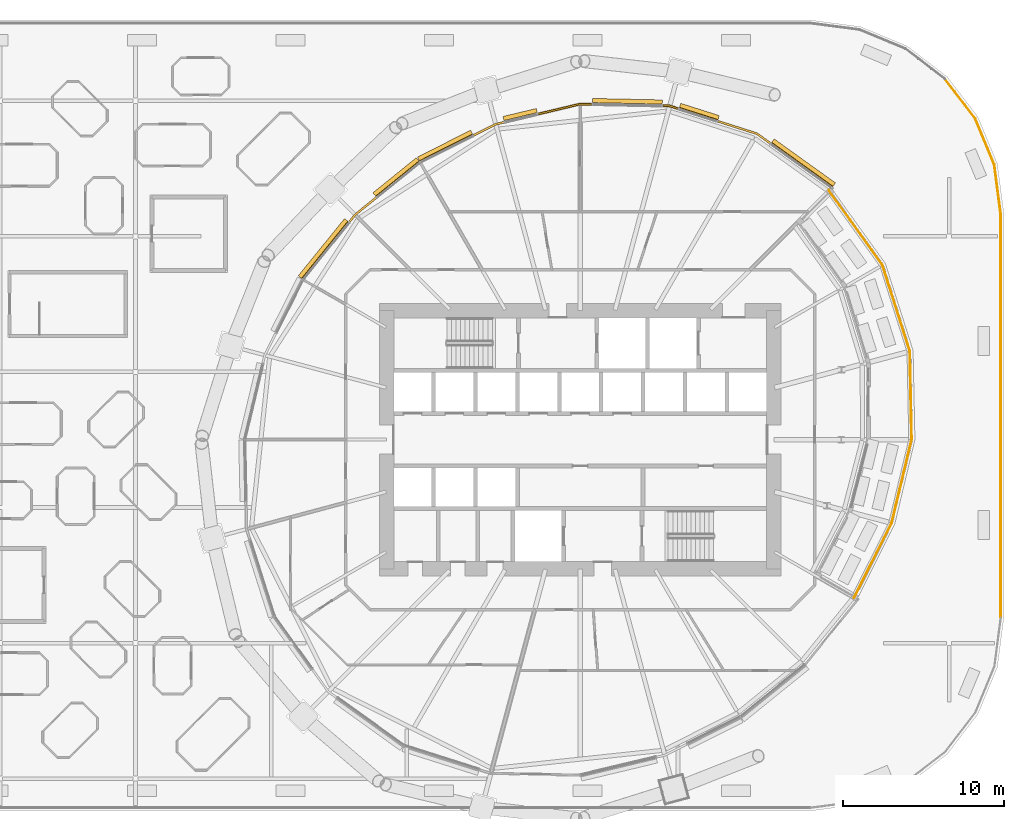
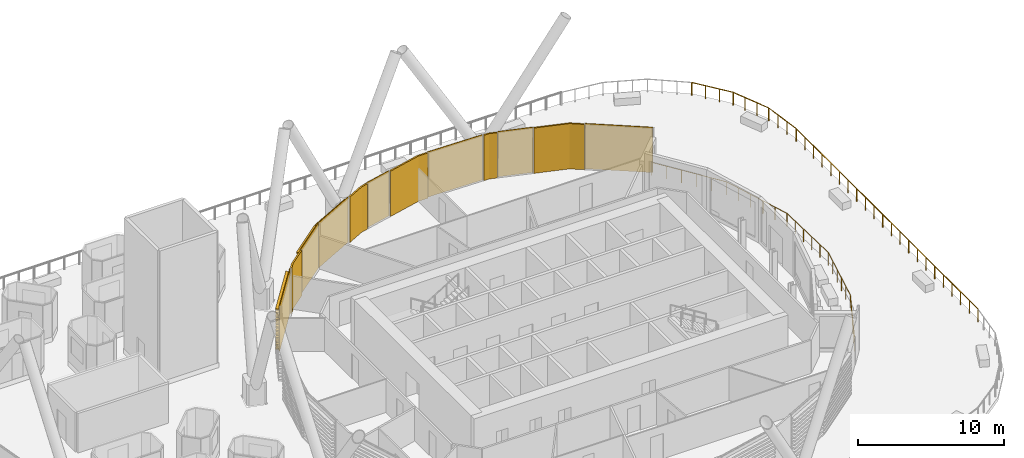
# One storey, part 45 of 47: 12 coverings, 2 railings.
"""IFC4 building model written with IfcOpenShell, lengths in metres."""

from ifc_helpers import new_model, si_unit, direction, frame, origin, origin_2d, place, context, subcontext, project, spatial, polyline, circle, outline, extrude, material, layer, layer_set, material_profile, profile_set, type_object, element, save


model = new_model("IFC4")

# Units and contexts
model_context = context("Model", 3, precision=1e-05, world=origin(), true_north=direction((0.0, 1.0)))
body_context = subcontext(model_context, "Body", "Model", "MODEL_VIEW")
ifc_project = project(units=[si_unit("LENGTHUNIT", "METRE"), si_unit("AREAUNIT", "SQUARE_METRE"), si_unit("VOLUMEUNIT", "CUBIC_METRE"), si_unit("PLANEANGLEUNIT", "RADIAN"), si_unit("MASSUNIT", "GRAM", prefix="KILO")], contexts=[model_context])

# Site, building, storey
site_placement = place(None, origin())
site = spatial("IfcSite", under=ifc_project, at=site_placement, CompositionType="ELEMENT")
building_placement = place(site_placement, origin())
building = spatial("IfcBuilding", under=site, at=building_placement, Name="Rimbun Link Towers", CompositionType="ELEMENT")
storey_placement = place(building_placement, frame((0.0, 0.0, 30.0)))
storey = spatial("IfcBuildingStorey", under=building, at=storey_placement, Name="L06", CompositionType="ELEMENT", Elevation=30.0)

# Railings
ifc_material_1 = material(Name="Toughened laminated glass, stainless steel grade 316 posts and cap rail", Category="steel")
railing_type_1 = type_object("IfcRailingType", Name="GUARD glass balustrade with stainless cap rail", PredefinedType="BALUSTRADE", material=ifc_material_1)
railing_1_placement = place(storey_placement, frame((57.800048828125, -10.98681640625, 0.0)))
element("IfcRailing", 1, at=railing_1_placement, inside=storey, type_object=railing_type_1, Name="GUARD glass balustrade", PredefinedType="BALUSTRADE", context=body_context, shape_type="SweptSolid", body=[
    extrude(circle(Radius=0.02392578125, at=origin_2d()), frame((0.0, 0.0, 1.076171875), z_axis=(0.0, 1.0, 0.0), x_axis=(-1.0, 0.0, 0.0)), (0.0, 0.0, 1.0), 24.9736328125),
    extrude(circle(Radius=0.02392578125, at=origin_2d()), frame((0.0, 24.9736328125, 1.076171875), z_axis=(-0.130540259305, 0.991443009305, 0.0), x_axis=(-0.991443009305, -0.130540259305, 0.0)), (0.0, 0.0, 1.0), 3.09326171875),
    extrude(circle(Radius=0.02392578125, at=origin_2d()), frame((-0.40380859375, 28.04052734375, 1.076171875), z_axis=(-0.382706499462, 0.92386997747, 0.0), x_axis=(-0.92386997747, -0.382706499462, 0.0)), (0.0, 0.0, 1.0), 3.079833984375),
    extrude(circle(Radius=0.02392578125, at=origin_2d()), frame((-1.58251953125, 30.885986328125, 1.076171875), z_axis=(-0.608702762794, 0.793398353015, 0.0), x_axis=(-0.793398353015, -0.608702762794, 0.0)), (0.0, 0.0, 1.0), 3.079833984375),
    extrude(circle(Radius=0.02099609375, at=origin_2d()), origin(), (0.0, 0.0, 1.0), 1.052001953125),
    extrude(circle(Radius=0.02099609375, at=origin_2d()), frame((0.0, 1.189208984375, 0.0)), (0.0, 0.0, 1.0), 1.052001953125),
    extrude(circle(Radius=0.02099609375, at=origin_2d()), frame((0.0, 2.37841796875, 0.0)), (0.0, 0.0, 1.0), 1.052001953125),
    extrude(circle(Radius=0.02099609375, at=origin_2d()), frame((0.0, 3.567626953125, 0.0)), (0.0, 0.0, 1.0), 1.052001953125),
    extrude(circle(Radius=0.02099609375, at=origin_2d()), frame((0.0, 4.7568359375, 0.0)), (0.0, 0.0, 1.0), 1.052001953125),
    extrude(circle(Radius=0.02099609375, at=origin_2d()), frame((0.0, 5.946044921875, 0.0)), (0.0, 0.0, 1.0), 1.052001953125),
    extrude(circle(Radius=0.02099609375, at=origin_2d()), frame((0.0, 7.13525390625, 0.0)), (0.0, 0.0, 1.0), 1.052001953125),
    extrude(circle(Radius=0.02099609375, at=origin_2d()), frame((0.0, 8.324462890625, 0.0)), (0.0, 0.0, 1.0), 1.052001953125),
    extrude(circle(Radius=0.02099609375, at=origin_2d()), frame((0.0, 9.513671875, 0.0)), (0.0, 0.0, 1.0), 1.052001953125),
    extrude(circle(Radius=0.02099609375, at=origin_2d()), frame((0.0, 10.702880859375, 0.0)), (0.0, 0.0, 1.0), 1.052001953125),
    extrude(circle(Radius=0.02099609375, at=origin_2d()), frame((0.0, 11.89208984375, 0.0)), (0.0, 0.0, 1.0), 1.052001953125),
    extrude(circle(Radius=0.02099609375, at=origin_2d()), frame((0.0, 13.08154296875, 0.0)), (0.0, 0.0, 1.0), 1.052001953125),
    extrude(circle(Radius=0.02099609375, at=origin_2d()), frame((0.0, 14.270751953125, 0.0)), (0.0, 0.0, 1.0), 1.052001953125),
    extrude(circle(Radius=0.02099609375, at=origin_2d()), frame((0.0, 15.4599609375, 0.0)), (0.0, 0.0, 1.0), 1.052001953125),
    extrude(circle(Radius=0.02099609375, at=origin_2d()), frame((0.0, 16.649169921875, 0.0)), (0.0, 0.0, 1.0), 1.052001953125),
    extrude(circle(Radius=0.02099609375, at=origin_2d()), frame((0.0, 17.83837890625, 0.0)), (0.0, 0.0, 1.0), 1.052001953125),
    extrude(circle(Radius=0.02099609375, at=origin_2d()), frame((0.0, 19.027587890625, 0.0)), (0.0, 0.0, 1.0), 1.052001953125),
    extrude(circle(Radius=0.02099609375, at=origin_2d()), frame((0.0, 20.216796875, 0.0)), (0.0, 0.0, 1.0), 1.052001953125),
    extrude(circle(Radius=0.02099609375, at=origin_2d()), frame((0.0, 21.406005859375, 0.0)), (0.0, 0.0, 1.0), 1.052001953125),
    extrude(circle(Radius=0.02099609375, at=origin_2d()), frame((0.0, 22.59521484375, 0.0)), (0.0, 0.0, 1.0), 1.052001953125),
    extrude(circle(Radius=0.02099609375, at=origin_2d()), frame((0.0, 23.784423828125, 0.0)), (0.0, 0.0, 1.0), 1.052001953125),
    extrude(circle(Radius=0.02099609375, at=origin_2d()), frame((0.0, 24.9736328125, 0.0)), (0.0, 0.0, 1.0), 1.052001953125),
    extrude(circle(Radius=0.02099609375, at=origin_2d()), frame((-0.134521484375, 25.995849609375, 0.0)), (0.0, 0.0, 1.0), 1.052001953125),
    extrude(circle(Radius=0.02099609375, at=origin_2d()), frame((-0.269287109375, 27.018310546875, 0.0)), (0.0, 0.0, 1.0), 1.052001953125),
    extrude(circle(Radius=0.02099609375, at=origin_2d()), frame((-0.40380859375, 28.04052734375, 0.0)), (0.0, 0.0, 1.0), 1.052001953125),
    extrude(circle(Radius=0.02099609375, at=origin_2d()), frame((-0.796630859375, 28.989013671875, 0.0)), (0.0, 0.0, 1.0), 1.052001953125),
    extrude(circle(Radius=0.02099609375, at=origin_2d()), frame((-1.189697265625, 29.9375, 0.0)), (0.0, 0.0, 1.0), 1.052001953125),
    extrude(circle(Radius=0.02099609375, at=origin_2d()), frame((-1.58251953125, 30.885986328125, 0.0)), (0.0, 0.0, 1.0), 1.052001953125),
    extrude(circle(Radius=0.02099609375, at=origin_2d()), frame((-2.20751953125, 31.700439453125, 0.0)), (0.0, 0.0, 1.0), 1.052001953125),
    extrude(circle(Radius=0.02099609375, at=origin_2d()), frame((-2.832275390625, 32.51513671875, 0.0)), (0.0, 0.0, 1.0), 1.052001953125),
    extrude(circle(Radius=0.02099609375, at=origin_2d()), frame((-3.457275390625, 33.32958984375, 0.0)), (0.0, 0.0, 1.0), 1.052001953125),
])
ifc_material_2 = material(Name="Stainless steel grade 316", Category="steel")
railing_type_2 = type_object("IfcRailingType", Name="GUARD stainless rail and posts", PredefinedType="GUARDRAIL", material=ifc_material_2)
railing_2_placement = place(storey_placement, frame((48.708984375, -9.8046875, 0.0)))
element("IfcRailing", 2, at=railing_2_placement, inside=storey, type_object=railing_type_2, Name="GUARD", PredefinedType="GUARDRAIL", context=body_context, shape_type="SweptSolid", body=[
    extrude(circle(Radius=0.02392578125, at=origin_2d()), frame((0.0, 0.0, 1.076171875), z_axis=(0.448788420539, 0.893638043948, 0.0), x_axis=(-0.893638043948, 0.448788420539, 0.0)), (0.0, 0.0, 1.0), 5.20654296875),
    extrude(circle(Radius=0.02392578125, at=origin_2d()), frame((2.336669921875, 4.65283203125, 1.076171875), z_axis=(0.232609077623, 0.972570314686, 0.0), x_axis=(-0.972570314686, 0.232609077623, 0.0)), (0.0, 0.0, 1.0), 5.3193359375),
    extrude(circle(Radius=0.02392578125, at=origin_2d()), frame((3.573974609375, 9.826171875, 1.076171875), z_axis=(-0.021062992638, 0.999778150562, 0.0), x_axis=(-0.999778150562, -0.021062992638, 0.0)), (0.0, 0.0, 1.0), 5.470947265625),
    extrude(circle(Radius=0.02392578125, at=origin_2d()), frame((3.458740234375, 15.2958984375, 1.076171875), z_axis=(-0.303066763076, 0.952969326431, 0.0), x_axis=(-0.952969326431, -0.303066763076, 0.0)), (0.0, 0.0, 1.0), 5.5947265625),
    extrude(circle(Radius=0.02392578125, at=origin_2d()), frame((1.76318359375, 20.62744140625, 1.076171875), z_axis=(-0.582989109377, 0.812479967967, 0.0), x_axis=(-0.812479967967, -0.582989109377, 0.0)), (0.0, 0.0, 1.0), 5.693603515625),
    extrude(circle(Radius=0.02099609375, at=origin_2d()), origin(), (0.0, 0.0, 1.0), 1.052001953125),
    extrude(circle(Radius=0.02099609375, at=origin_2d()), frame((0.46728515625, 0.9306640625, 0.0)), (0.0, 0.0, 1.0), 1.052001953125),
    extrude(circle(Radius=0.02099609375, at=origin_2d()), frame((0.9345703125, 1.861083984375, 0.0)), (0.0, 0.0, 1.0), 1.052001953125),
    extrude(circle(Radius=0.02099609375, at=origin_2d()), frame((1.402099609375, 2.791748046875, 0.0)), (0.0, 0.0, 1.0), 1.052001953125),
    extrude(circle(Radius=0.02099609375, at=origin_2d()), frame((1.869384765625, 3.72216796875, 0.0)), (0.0, 0.0, 1.0), 1.052001953125),
    extrude(circle(Radius=0.02099609375, at=origin_2d()), frame((2.336669921875, 4.65283203125, 0.0)), (0.0, 0.0, 1.0), 1.052001953125),
    extrude(circle(Radius=0.02099609375, at=origin_2d()), frame((2.584228515625, 5.6875, 0.0)), (0.0, 0.0, 1.0), 1.052001953125),
    extrude(circle(Radius=0.02099609375, at=origin_2d()), frame((2.83154296875, 6.72216796875, 0.0)), (0.0, 0.0, 1.0), 1.052001953125),
    extrude(circle(Radius=0.02099609375, at=origin_2d()), frame((3.0791015625, 7.7568359375, 0.0)), (0.0, 0.0, 1.0), 1.052001953125),
    extrude(circle(Radius=0.02099609375, at=origin_2d()), frame((3.326416015625, 8.79150390625, 0.0)), (0.0, 0.0, 1.0), 1.052001953125),
    extrude(circle(Radius=0.02099609375, at=origin_2d()), frame((3.573974609375, 9.826171875, 0.0)), (0.0, 0.0, 1.0), 1.052001953125),
    extrude(circle(Radius=0.02099609375, at=origin_2d()), frame((3.551025390625, 10.920166015625, 0.0)), (0.0, 0.0, 1.0), 1.052001953125),
    extrude(circle(Radius=0.02099609375, at=origin_2d()), frame((3.52783203125, 12.01416015625, 0.0)), (0.0, 0.0, 1.0), 1.052001953125),
    extrude(circle(Radius=0.02099609375, at=origin_2d()), frame((3.5048828125, 13.10791015625, 0.0)), (0.0, 0.0, 1.0), 1.052001953125),
    extrude(circle(Radius=0.02099609375, at=origin_2d()), frame((3.481689453125, 14.201904296875, 0.0)), (0.0, 0.0, 1.0), 1.052001953125),
    extrude(circle(Radius=0.02099609375, at=origin_2d()), frame((3.458740234375, 15.2958984375, 0.0)), (0.0, 0.0, 1.0), 1.052001953125),
    extrude(circle(Radius=0.02099609375, at=origin_2d()), frame((3.11962890625, 16.3623046875, 0.0)), (0.0, 0.0, 1.0), 1.052001953125),
    extrude(circle(Radius=0.02099609375, at=origin_2d()), frame((2.780517578125, 17.428466796875, 0.0)), (0.0, 0.0, 1.0), 1.052001953125),
    extrude(circle(Radius=0.02099609375, at=origin_2d()), frame((2.44140625, 18.494873046875, 0.0)), (0.0, 0.0, 1.0), 1.052001953125),
    extrude(circle(Radius=0.02099609375, at=origin_2d()), frame((2.102294921875, 19.56103515625, 0.0)), (0.0, 0.0, 1.0), 1.052001953125),
    extrude(circle(Radius=0.02099609375, at=origin_2d()), frame((1.76318359375, 20.62744140625, 0.0)), (0.0, 0.0, 1.0), 1.052001953125),
    extrude(circle(Radius=0.02099609375, at=origin_2d()), frame((1.099365234375, 21.552734375, 0.0)), (0.0, 0.0, 1.0), 1.052001953125),
    extrude(circle(Radius=0.02099609375, at=origin_2d()), frame((0.435546875, 22.477783203125, 0.0)), (0.0, 0.0, 1.0), 1.052001953125),
    extrude(circle(Radius=0.02099609375, at=origin_2d()), frame((-0.228515625, 23.403076171875, 0.0)), (0.0, 0.0, 1.0), 1.052001953125),
    extrude(circle(Radius=0.02099609375, at=origin_2d()), frame((-0.892333984375, 24.328125, 0.0)), (0.0, 0.0, 1.0), 1.052001953125),
    extrude(circle(Radius=0.02099609375, at=origin_2d()), frame((-1.55615234375, 25.25341796875, 0.0)), (0.0, 0.0, 1.0), 1.052001953125),
])

# Coverings
ifc_material_3 = material(Name="Terracotta", Category="masonry")
ifc_layer = layer(ifc_material_3, 0.1201171875)
ifc_layer_set = layer_set([ifc_layer], Name="LINK PIER terracotta cladding 120")
covering_type_1 = type_object("IfcCoveringType", Name="LINK PIER terracotta cladding 120", PredefinedType="CLADDING", material=ifc_layer_set)
covering_1_placement = place(storey_placement, origin())
element("IfcCovering", 3, at=covering_1_placement, inside=storey, type_object=covering_type_1, Name="LINK PIER cladding", PredefinedType="CLADDING", context=body_context, shape_type="SweptSolid", body=[
    extrude(outline(polyline([(40.26220703125, 19.666748046875), (42.663818359375, 18.903076171875), (43.492431640625, 18.308349609375), (43.5625, 18.406005859375), (42.71826171875, 19.01171875), (40.298583984375, 19.78125), (40.26220703125, 19.666748046875)])), origin(), (0.0, 0.0, 1.0), 3.800048828125),
])
covering_2_placement = place(storey_placement, origin())
element("IfcCovering", 4, at=covering_2_placement, inside=storey, type_object=covering_type_1, Name="LINK PIER cladding", PredefinedType="CLADDING", context=body_context, shape_type="SweptSolid", body=[
    extrude(outline(polyline([(36.8544921875, 20.6259765625), (37.2744140625, 20.6171875), (37.8173828125, 20.4443359375), (37.853759765625, 20.55859375), (37.294189453125, 20.73681640625), (36.85693359375, 20.745849609375), (36.8544921875, 20.6259765625)])), origin(), (0.0, 0.0, 1.0), 3.800048828125),
])
covering_3_placement = place(storey_placement, origin())
element("IfcCovering", 5, at=covering_3_placement, inside=storey, type_object=covering_type_1, Name="LINK PIER cladding", PredefinedType="CLADDING", context=body_context, shape_type="SweptSolid", body=[
    extrude(outline(polyline([(29.1533203125, 20.1123046875), (31.75, 20.7333984375), (32.4697265625, 20.71826171875), (32.472412109375, 20.83837890625), (31.737060546875, 20.853759765625), (29.125244140625, 20.229248046875), (29.1533203125, 20.1123046875)])), origin(), (0.0, 0.0, 1.0), 3.800048828125),
])
covering_4_placement = place(storey_placement, origin())
element("IfcCovering", 6, at=covering_4_placement, inside=storey, type_object=covering_type_1, Name="LINK PIER cladding", PredefinedType="CLADDING", context=body_context, shape_type="SweptSolid", body=[
    extrude(outline(polyline([(25.170654296875, 18.802734375), (26.529052734375, 19.48486328125), (27.034912109375, 19.605712890625), (27.0068359375, 19.722412109375), (26.487548828125, 19.598388671875), (25.116943359375, 18.909912109375), (25.170654296875, 18.802734375)])), origin(), (0.0, 0.0, 1.0), 3.800048828125),
])
covering_5_placement = place(storey_placement, origin())
element("IfcCovering", 7, at=covering_5_placement, inside=storey, type_object=covering_type_1, Name="LINK PIER cladding", PredefinedType="CLADDING", context=body_context, shape_type="SweptSolid", body=[
    extrude(outline(polyline([(17.493896484375, 13.45458984375), (17.852294921875, 13.897705078125), (19.150390625, 14.9482421875), (19.074951171875, 15.04150390625), (17.76708984375, 13.98291015625), (17.400390625, 13.530029296875), (17.493896484375, 13.45458984375)])), origin(), (0.0, 0.0, 1.0), 3.800048828125),
])
ifc_material_4 = material(Name="Terracotta", Category="masonry")
ifc_material_profile = material_profile(ifc_material_4, outline(polyline([(0.123046875, 0.0), (0.1630859375, 0.0), (0.1630859375, 0.10009765625), (0.423095703125, 0.10009765625), (0.423095703125, 0.219970703125), (0.1630859375, 0.219970703125), (0.1630859375, 0.39990234375), (0.423095703125, 0.39990234375), (0.423095703125, 0.52001953125), (0.1630859375, 0.52001953125), (0.1630859375, 0.699951171875), (0.423095703125, 0.699951171875), (0.423095703125, 0.820068359375), (0.1630859375, 0.820068359375), (0.1630859375, 1.0), (0.423095703125, 1.0), (0.423095703125, 1.1201171875), (0.1630859375, 1.1201171875), (0.1630859375, 1.300048828125), (0.423095703125, 1.300048828125), (0.423095703125, 1.419921875), (0.1630859375, 1.419921875), (0.1630859375, 1.60009765625), (0.423095703125, 1.60009765625), (0.423095703125, 1.719970703125), (0.1630859375, 1.719970703125), (0.1630859375, 1.89990234375), (0.423095703125, 1.89990234375), (0.423095703125, 2.02001953125), (0.1630859375, 2.02001953125), (0.1630859375, 2.199951171875), (0.423095703125, 2.199951171875), (0.423095703125, 2.320068359375), (0.1630859375, 2.320068359375), (0.1630859375, 2.5), (0.423095703125, 2.5), (0.423095703125, 2.6201171875), (0.1630859375, 2.6201171875), (0.1630859375, 2.800048828125), (0.423095703125, 2.800048828125), (0.423095703125, 2.919921875), (0.1630859375, 2.919921875), (0.1630859375, 3.10009765625), (0.423095703125, 3.10009765625), (0.423095703125, 3.219970703125), (0.1630859375, 3.219970703125), (0.1630859375, 3.39990234375), (0.423095703125, 3.39990234375), (0.423095703125, 3.52001953125), (0.1630859375, 3.52001953125), (0.1630859375, 3.800048828125), (0.123046875, 3.800048828125), (0.123046875, 0.0)])), Name="BAGUETTE 120X300")
ifc_profile_set = profile_set([ifc_material_profile], Name="Terracotta")
covering_type_2 = type_object("IfcCoveringType", Name="TERRACOTTA BAGUETTE 120X300 H3800", PredefinedType="CLADDING", material=ifc_profile_set)
covering_6_placement = place(storey_placement, frame((43.516845703125, 18.291015625, 0.0), z_axis=(0.812443607919, -0.583039779047, 0.0), x_axis=(0.583039779047, 0.812443607919, 0.0)))
element("IfcCovering", 8, at=covering_6_placement, inside=storey, type_object=covering_type_2, Name="TERRACOTTA BAGUETTE", PredefinedType="CLADDING", context=body_context, shape_type="SweptSolid", body=[
    extrude(outline(polyline([(0.123046875, 0.0), (0.1630859375, 0.0), (0.1630859375, 0.10009765625), (0.423095703125, 0.10009765625), (0.423095703125, 0.219970703125), (0.1630859375, 0.219970703125), (0.1630859375, 0.39990234375), (0.423095703125, 0.39990234375), (0.423095703125, 0.52001953125), (0.1630859375, 0.52001953125), (0.1630859375, 0.699951171875), (0.423095703125, 0.699951171875), (0.423095703125, 0.820068359375), (0.1630859375, 0.820068359375), (0.1630859375, 1.0), (0.423095703125, 1.0), (0.423095703125, 1.1201171875), (0.1630859375, 1.1201171875), (0.1630859375, 1.300048828125), (0.423095703125, 1.300048828125), (0.423095703125, 1.419921875), (0.1630859375, 1.419921875), (0.1630859375, 1.60009765625), (0.423095703125, 1.60009765625), (0.423095703125, 1.719970703125), (0.1630859375, 1.719970703125), (0.1630859375, 1.89990234375), (0.423095703125, 1.89990234375), (0.423095703125, 2.02001953125), (0.1630859375, 2.02001953125), (0.1630859375, 2.199951171875), (0.423095703125, 2.199951171875), (0.423095703125, 2.320068359375), (0.1630859375, 2.320068359375), (0.1630859375, 2.5), (0.423095703125, 2.5), (0.423095703125, 2.6201171875), (0.1630859375, 2.6201171875), (0.1630859375, 2.800048828125), (0.423095703125, 2.800048828125), (0.423095703125, 2.919921875), (0.1630859375, 2.919921875), (0.1630859375, 3.10009765625), (0.423095703125, 3.10009765625), (0.423095703125, 3.219970703125), (0.1630859375, 3.219970703125), (0.1630859375, 3.39990234375), (0.423095703125, 3.39990234375), (0.423095703125, 3.52001953125), (0.1630859375, 3.52001953125), (0.1630859375, 3.800048828125), (0.123046875, 3.800048828125), (0.123046875, 0.0)])), origin(), (0.0, 0.0, 1.0), 4.67529296875),
])
covering_7_placement = place(storey_placement, frame((37.84619140625, 20.435302734375, 0.0), z_axis=(0.952968005394, -0.303070916942, 0.0), x_axis=(0.303070916942, 0.952968005394, 0.0)))
element("IfcCovering", 9, at=covering_7_placement, inside=storey, type_object=covering_type_2, Name="TERRACOTTA BAGUETTE", PredefinedType="CLADDING", context=body_context, shape_type="SweptSolid", body=[
    extrude(outline(polyline([(0.123046875, 0.0), (0.1630859375, 0.0), (0.1630859375, 0.10009765625), (0.423095703125, 0.10009765625), (0.423095703125, 0.219970703125), (0.1630859375, 0.219970703125), (0.1630859375, 0.39990234375), (0.423095703125, 0.39990234375), (0.423095703125, 0.52001953125), (0.1630859375, 0.52001953125), (0.1630859375, 0.699951171875), (0.423095703125, 0.699951171875), (0.423095703125, 0.820068359375), (0.1630859375, 0.820068359375), (0.1630859375, 1.0), (0.423095703125, 1.0), (0.423095703125, 1.1201171875), (0.1630859375, 1.1201171875), (0.1630859375, 1.300048828125), (0.423095703125, 1.300048828125), (0.423095703125, 1.419921875), (0.1630859375, 1.419921875), (0.1630859375, 1.60009765625), (0.423095703125, 1.60009765625), (0.423095703125, 1.719970703125), (0.1630859375, 1.719970703125), (0.1630859375, 1.89990234375), (0.423095703125, 1.89990234375), (0.423095703125, 2.02001953125), (0.1630859375, 2.02001953125), (0.1630859375, 2.199951171875), (0.423095703125, 2.199951171875), (0.423095703125, 2.320068359375), (0.1630859375, 2.320068359375), (0.1630859375, 2.5), (0.423095703125, 2.5), (0.423095703125, 2.6201171875), (0.1630859375, 2.6201171875), (0.1630859375, 2.800048828125), (0.423095703125, 2.800048828125), (0.423095703125, 2.919921875), (0.1630859375, 2.919921875), (0.1630859375, 3.10009765625), (0.423095703125, 3.10009765625), (0.423095703125, 3.219970703125), (0.1630859375, 3.219970703125), (0.1630859375, 3.39990234375), (0.423095703125, 3.39990234375), (0.423095703125, 3.52001953125), (0.1630859375, 3.52001953125), (0.1630859375, 3.800048828125), (0.123046875, 3.800048828125), (0.123046875, 0.0)])), origin(), (0.0, 0.0, 1.0), 2.50537109375),
])
covering_8_placement = place(storey_placement, frame((32.499755859375, 20.7177734375, 0.0), z_axis=(0.999777189958, -0.021108539519, 0.0), x_axis=(0.021108539519, 0.999777189958, 0.0)))
element("IfcCovering", 10, at=covering_8_placement, inside=storey, type_object=covering_type_2, Name="TERRACOTTA BAGUETTE", PredefinedType="CLADDING", context=body_context, shape_type="SweptSolid", body=[
    extrude(outline(polyline([(0.123046875, 0.0), (0.1630859375, 0.0), (0.1630859375, 0.10009765625), (0.423095703125, 0.10009765625), (0.423095703125, 0.219970703125), (0.1630859375, 0.219970703125), (0.1630859375, 0.39990234375), (0.423095703125, 0.39990234375), (0.423095703125, 0.52001953125), (0.1630859375, 0.52001953125), (0.1630859375, 0.699951171875), (0.423095703125, 0.699951171875), (0.423095703125, 0.820068359375), (0.1630859375, 0.820068359375), (0.1630859375, 1.0), (0.423095703125, 1.0), (0.423095703125, 1.1201171875), (0.1630859375, 1.1201171875), (0.1630859375, 1.300048828125), (0.423095703125, 1.300048828125), (0.423095703125, 1.419921875), (0.1630859375, 1.419921875), (0.1630859375, 1.60009765625), (0.423095703125, 1.60009765625), (0.423095703125, 1.719970703125), (0.1630859375, 1.719970703125), (0.1630859375, 1.89990234375), (0.423095703125, 1.89990234375), (0.423095703125, 2.02001953125), (0.1630859375, 2.02001953125), (0.1630859375, 2.199951171875), (0.423095703125, 2.199951171875), (0.423095703125, 2.320068359375), (0.1630859375, 2.320068359375), (0.1630859375, 2.5), (0.423095703125, 2.5), (0.423095703125, 2.6201171875), (0.1630859375, 2.6201171875), (0.1630859375, 2.800048828125), (0.423095703125, 2.800048828125), (0.423095703125, 2.919921875), (0.1630859375, 2.919921875), (0.1630859375, 3.10009765625), (0.423095703125, 3.10009765625), (0.423095703125, 3.219970703125), (0.1630859375, 3.219970703125), (0.1630859375, 3.39990234375), (0.423095703125, 3.39990234375), (0.423095703125, 3.52001953125), (0.1630859375, 3.52001953125), (0.1630859375, 3.800048828125), (0.123046875, 3.800048828125), (0.123046875, 0.0)])), origin(), (0.0, 0.0, 1.0), 4.32568359375),
])
covering_9_placement = place(storey_placement, frame((27.06396484375, 19.61279296875, 0.0), z_axis=(0.972573223631, 0.232596914587, 0.0), x_axis=(-0.232596914587, 0.972573223631, 0.0)))
element("IfcCovering", 11, at=covering_9_placement, inside=storey, type_object=covering_type_2, Name="TERRACOTTA BAGUETTE", PredefinedType="CLADDING", context=body_context, shape_type="SweptSolid", body=[
    extrude(outline(polyline([(0.123046875, 0.0), (0.1630859375, 0.0), (0.1630859375, 0.10009765625), (0.423095703125, 0.10009765625), (0.423095703125, 0.219970703125), (0.1630859375, 0.219970703125), (0.1630859375, 0.39990234375), (0.423095703125, 0.39990234375), (0.423095703125, 0.52001953125), (0.1630859375, 0.52001953125), (0.1630859375, 0.699951171875), (0.423095703125, 0.699951171875), (0.423095703125, 0.820068359375), (0.1630859375, 0.820068359375), (0.1630859375, 1.0), (0.423095703125, 1.0), (0.423095703125, 1.1201171875), (0.1630859375, 1.1201171875), (0.1630859375, 1.300048828125), (0.423095703125, 1.300048828125), (0.423095703125, 1.419921875), (0.1630859375, 1.419921875), (0.1630859375, 1.60009765625), (0.423095703125, 1.60009765625), (0.423095703125, 1.719970703125), (0.1630859375, 1.719970703125), (0.1630859375, 1.89990234375), (0.423095703125, 1.89990234375), (0.423095703125, 2.02001953125), (0.1630859375, 2.02001953125), (0.1630859375, 2.199951171875), (0.423095703125, 2.199951171875), (0.423095703125, 2.320068359375), (0.1630859375, 2.320068359375), (0.1630859375, 2.5), (0.423095703125, 2.5), (0.423095703125, 2.6201171875), (0.1630859375, 2.6201171875), (0.1630859375, 2.800048828125), (0.423095703125, 2.800048828125), (0.423095703125, 2.919921875), (0.1630859375, 2.919921875), (0.1630859375, 3.10009765625), (0.423095703125, 3.10009765625), (0.423095703125, 3.219970703125), (0.1630859375, 3.219970703125), (0.1630859375, 3.39990234375), (0.423095703125, 3.39990234375), (0.423095703125, 3.52001953125), (0.1630859375, 3.52001953125), (0.1630859375, 3.800048828125), (0.123046875, 3.800048828125), (0.123046875, 0.0)])), origin(), (0.0, 0.0, 1.0), 2.1181640625),
])
covering_10_placement = place(storey_placement, frame((21.85546875, 17.1376953125, 0.0), z_axis=(0.893629667203, 0.448805100121, 0.0), x_axis=(-0.448805100121, 0.893629667203, 0.0)))
element("IfcCovering", 12, at=covering_10_placement, inside=storey, type_object=covering_type_2, Name="TERRACOTTA BAGUETTE", PredefinedType="CLADDING", context=body_context, shape_type="SweptSolid", body=[
    extrude(outline(polyline([(0.123046875, 0.0), (0.1630859375, 0.0), (0.1630859375, 0.10009765625), (0.423095703125, 0.10009765625), (0.423095703125, 0.219970703125), (0.1630859375, 0.219970703125), (0.1630859375, 0.39990234375), (0.423095703125, 0.39990234375), (0.423095703125, 0.52001953125), (0.1630859375, 0.52001953125), (0.1630859375, 0.699951171875), (0.423095703125, 0.699951171875), (0.423095703125, 0.820068359375), (0.1630859375, 0.820068359375), (0.1630859375, 1.0), (0.423095703125, 1.0), (0.423095703125, 1.1201171875), (0.1630859375, 1.1201171875), (0.1630859375, 1.300048828125), (0.423095703125, 1.300048828125), (0.423095703125, 1.419921875), (0.1630859375, 1.419921875), (0.1630859375, 1.60009765625), (0.423095703125, 1.60009765625), (0.423095703125, 1.719970703125), (0.1630859375, 1.719970703125), (0.1630859375, 1.89990234375), (0.423095703125, 1.89990234375), (0.423095703125, 2.02001953125), (0.1630859375, 2.02001953125), (0.1630859375, 2.199951171875), (0.423095703125, 2.199951171875), (0.423095703125, 2.320068359375), (0.1630859375, 2.320068359375), (0.1630859375, 2.5), (0.423095703125, 2.5), (0.423095703125, 2.6201171875), (0.1630859375, 2.6201171875), (0.1630859375, 2.800048828125), (0.423095703125, 2.800048828125), (0.423095703125, 2.919921875), (0.1630859375, 2.919921875), (0.1630859375, 3.10009765625), (0.423095703125, 3.10009765625), (0.423095703125, 3.219970703125), (0.1630859375, 3.219970703125), (0.1630859375, 3.39990234375), (0.423095703125, 3.39990234375), (0.423095703125, 3.52001953125), (0.1630859375, 3.52001953125), (0.1630859375, 3.800048828125), (0.123046875, 3.800048828125), (0.123046875, 0.0)])), origin(), (0.0, 0.0, 1.0), 3.679931640625),
])
covering_11_placement = place(storey_placement, frame((19.173828125, 14.967041015625, 0.0), z_axis=(0.777272884766, 0.629163621491, 0.0), x_axis=(-0.629163621491, 0.777272884766, 0.0)))
element("IfcCovering", 13, at=covering_11_placement, inside=storey, type_object=covering_type_2, Name="TERRACOTTA BAGUETTE", PredefinedType="CLADDING", context=body_context, shape_type="SweptSolid", body=[
    extrude(outline(polyline([(0.123046875, 0.0), (0.1630859375, 0.0), (0.1630859375, 0.10009765625), (0.423095703125, 0.10009765625), (0.423095703125, 0.219970703125), (0.1630859375, 0.219970703125), (0.1630859375, 0.39990234375), (0.423095703125, 0.39990234375), (0.423095703125, 0.52001953125), (0.1630859375, 0.52001953125), (0.1630859375, 0.699951171875), (0.423095703125, 0.699951171875), (0.423095703125, 0.820068359375), (0.1630859375, 0.820068359375), (0.1630859375, 1.0), (0.423095703125, 1.0), (0.423095703125, 1.1201171875), (0.1630859375, 1.1201171875), (0.1630859375, 1.300048828125), (0.423095703125, 1.300048828125), (0.423095703125, 1.419921875), (0.1630859375, 1.419921875), (0.1630859375, 1.60009765625), (0.423095703125, 1.60009765625), (0.423095703125, 1.719970703125), (0.1630859375, 1.719970703125), (0.1630859375, 1.89990234375), (0.423095703125, 1.89990234375), (0.423095703125, 2.02001953125), (0.1630859375, 2.02001953125), (0.1630859375, 2.199951171875), (0.423095703125, 2.199951171875), (0.423095703125, 2.320068359375), (0.1630859375, 2.320068359375), (0.1630859375, 2.5), (0.423095703125, 2.5), (0.423095703125, 2.6201171875), (0.1630859375, 2.6201171875), (0.1630859375, 2.800048828125), (0.423095703125, 2.800048828125), (0.423095703125, 2.919921875), (0.1630859375, 2.919921875), (0.1630859375, 3.10009765625), (0.423095703125, 3.10009765625), (0.423095703125, 3.219970703125), (0.1630859375, 3.219970703125), (0.1630859375, 3.39990234375), (0.423095703125, 3.39990234375), (0.423095703125, 3.52001953125), (0.1630859375, 3.52001953125), (0.1630859375, 3.800048828125), (0.123046875, 3.800048828125), (0.123046875, 0.0)])), origin(), (0.0, 0.0, 1.0), 3.449951171875),
])
covering_12_placement = place(storey_placement, frame((14.6123046875, 9.89453125, 0.0), z_axis=(0.62914111418, 0.777291102772, 0.0), x_axis=(-0.777291102772, 0.62914111418, 0.0)))
element("IfcCovering", 14, at=covering_12_placement, inside=storey, type_object=covering_type_2, Name="TERRACOTTA BAGUETTE", PredefinedType="CLADDING", context=body_context, shape_type="SweptSolid", body=[
    extrude(outline(polyline([(0.123046875, 0.0), (0.1630859375, 0.0), (0.1630859375, 0.10009765625), (0.423095703125, 0.10009765625), (0.423095703125, 0.219970703125), (0.1630859375, 0.219970703125), (0.1630859375, 0.39990234375), (0.423095703125, 0.39990234375), (0.423095703125, 0.52001953125), (0.1630859375, 0.52001953125), (0.1630859375, 0.699951171875), (0.423095703125, 0.699951171875), (0.423095703125, 0.820068359375), (0.1630859375, 0.820068359375), (0.1630859375, 1.0), (0.423095703125, 1.0), (0.423095703125, 1.1201171875), (0.1630859375, 1.1201171875), (0.1630859375, 1.300048828125), (0.423095703125, 1.300048828125), (0.423095703125, 1.419921875), (0.1630859375, 1.419921875), (0.1630859375, 1.60009765625), (0.423095703125, 1.60009765625), (0.423095703125, 1.719970703125), (0.1630859375, 1.719970703125), (0.1630859375, 1.89990234375), (0.423095703125, 1.89990234375), (0.423095703125, 2.02001953125), (0.1630859375, 2.02001953125), (0.1630859375, 2.199951171875), (0.423095703125, 2.199951171875), (0.423095703125, 2.320068359375), (0.1630859375, 2.320068359375), (0.1630859375, 2.5), (0.423095703125, 2.5), (0.423095703125, 2.6201171875), (0.1630859375, 2.6201171875), (0.1630859375, 2.800048828125), (0.423095703125, 2.800048828125), (0.423095703125, 2.919921875), (0.1630859375, 2.919921875), (0.1630859375, 3.10009765625), (0.423095703125, 3.10009765625), (0.423095703125, 3.219970703125), (0.1630859375, 3.219970703125), (0.1630859375, 3.39990234375), (0.423095703125, 3.39990234375), (0.423095703125, 3.52001953125), (0.1630859375, 3.52001953125), (0.1630859375, 3.800048828125), (0.123046875, 3.800048828125), (0.123046875, 0.0)])), origin(), (0.0, 0.0, 1.0), 4.550048828125),
])

save(model, "model.ifc")
